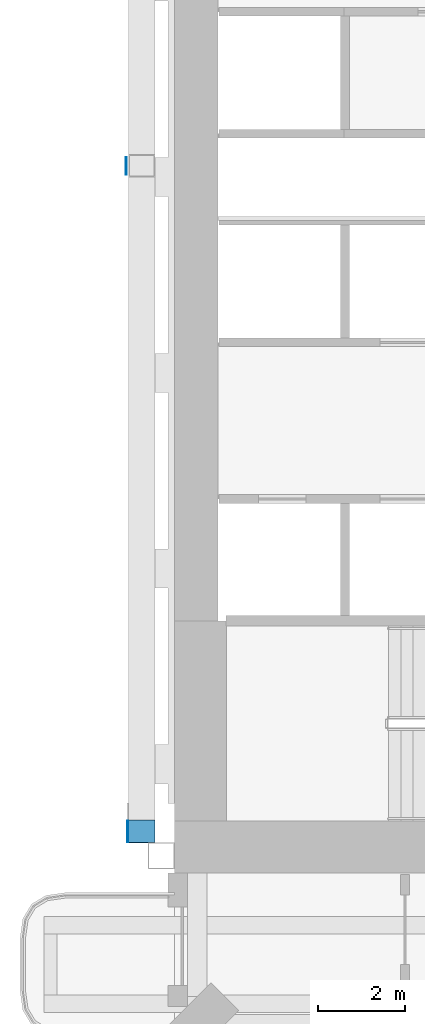
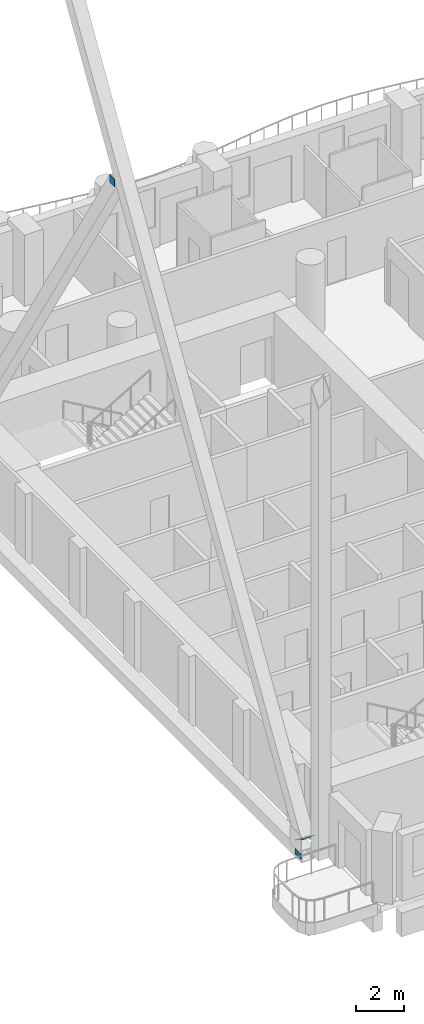
# One storey, part 13 of 24: 3 discrete accessories.
"""IFC4 building model written with IfcOpenShell, lengths in metres."""

from ifc_helpers import new_model, si_unit, direction, frame, origin, origin_2d, place, context, subcontext, project, spatial, rectangle, extrude, material, material_profile, profile_set, type_object, element, save


model = new_model("IFC4")

# Units and contexts
model_context = context("Model", 3, precision=1e-05, world=origin(), true_north=direction((0.0, 1.0)))
body_context = subcontext(model_context, "Body", "Model", "MODEL_VIEW")
ifc_project = project(units=[si_unit("LENGTHUNIT", "METRE"), si_unit("AREAUNIT", "SQUARE_METRE"), si_unit("VOLUMEUNIT", "CUBIC_METRE"), si_unit("PLANEANGLEUNIT", "RADIAN"), si_unit("MASSUNIT", "GRAM", prefix="KILO")], contexts=[model_context])

# Site, building, storey
site_placement = place(None, origin())
site = spatial("IfcSite", under=ifc_project, at=site_placement, CompositionType="ELEMENT")
building_placement = place(site_placement, origin())
building = spatial("IfcBuilding", under=site, at=building_placement, Name="Cypress Arch Tower", CompositionType="ELEMENT")
storey_placement = place(building_placement, frame((0.0, 0.0, 102.300048828125)))
storey = spatial("IfcBuildingStorey", under=building, at=storey_placement, Name="L20", CompositionType="ELEMENT", Elevation=102.300048828125)

# Discrete accessories
ifc_material_1 = material(Name="Steel ASTM A992", Category="steel")
ifc_material_profile_1 = material_profile(ifc_material_1, rectangle(XDim=0.609619140625, YDim=0.609619140625, at=origin_2d()), Name="PL 20 610x610")
ifc_profile_set_1 = profile_set([ifc_material_profile_1], Name="Steel ASTM A992")
discrete_accessory_type_1 = type_object("IfcDiscreteAccessoryType", Name="End cap plate 610x610x20 Steel ASTM A992", PredefinedType="ANCHORPLATE", material=ifc_profile_set_1)
discrete_accessory_1_placement = place(storey_placement, frame((-30.7548828125, -15.036376953125, 0.724365234375), z_axis=(0.0, -0.528892886439, -0.848688585215), x_axis=(1.0, 0.0, 0.0)))
element("IfcDiscreteAccessory", 1, at=discrete_accessory_1_placement, inside=storey, type_object=discrete_accessory_type_1, Name="End cap plate west bracing 2", PredefinedType="ANCHORPLATE", context=body_context, shape_type="SweptSolid", body=[
    extrude(rectangle(XDim=0.609619140625, YDim=0.609619140625, at=origin_2d()), origin(), (0.0, 0.0, 1.0), 0.019775390625),
])
ifc_material_2 = material(Name="Steel ASTM A992", Category="steel")
ifc_material_profile_2 = material_profile(ifc_material_2, rectangle(XDim=0.5, YDim=0.300048828125, at=origin_2d()), Name="PL 20 500x300")
ifc_profile_set_2 = profile_set([ifc_material_profile_2], Name="Steel ASTM A992")
discrete_accessory_type_2 = type_object("IfcDiscreteAccessoryType", Name="West bracing chord end plate 500x300x20 Steel ASTM A992", PredefinedType="ANCHORPLATE", material=ifc_profile_set_2)
discrete_accessory_2_placement = place(storey_placement, frame((-31.0595703125, -15.045166015625, 0.0), z_axis=(-1.0, 0.0, 0.0), x_axis=(0.0, -1.0, 0.0)))
element("IfcDiscreteAccessory", 2, at=discrete_accessory_2_placement, inside=storey, type_object=discrete_accessory_type_2, Name="End plate west bracing chord 2S", PredefinedType="ANCHORPLATE", context=body_context, shape_type="SweptSolid", body=[
    extrude(rectangle(XDim=0.5, YDim=0.300048828125, at=origin_2d()), origin(), (0.0, 0.0, 1.0), 0.02001953125),
])
ifc_material_3 = material(Name="Steel ASTM A992", Category="steel")
ifc_material_profile_3 = material_profile(ifc_material_3, rectangle(XDim=0.39990234375, YDim=0.39990234375, at=origin_2d()), Name="PL 20 400x400")
ifc_profile_set_3 = profile_set([ifc_material_profile_3], Name="Steel ASTM A992")
discrete_accessory_type_3 = type_object("IfcDiscreteAccessoryType", Name="West bracing diagonal end plate 400x400x20 Steel ASTM A992", PredefinedType="ANCHORPLATE", material=ifc_profile_set_3)
discrete_accessory_3_placement = place(storey_placement, frame((-31.099609375, 0.259033203125, 24.679931640625), z_axis=(-1.0, 0.0, 0.0), x_axis=(0.0, -1.0, 0.0)))
element("IfcDiscreteAccessory", 3, at=discrete_accessory_3_placement, inside=storey, type_object=discrete_accessory_type_3, Name="End plate west bracing diagonal 2C", PredefinedType="ANCHORPLATE", context=body_context, shape_type="SweptSolid", body=[
    extrude(rectangle(XDim=0.39990234375, YDim=0.39990234375, at=origin_2d()), origin(), (0.0, 0.0, 1.0), 0.02001953125),
])

save(model, "model.ifc")
